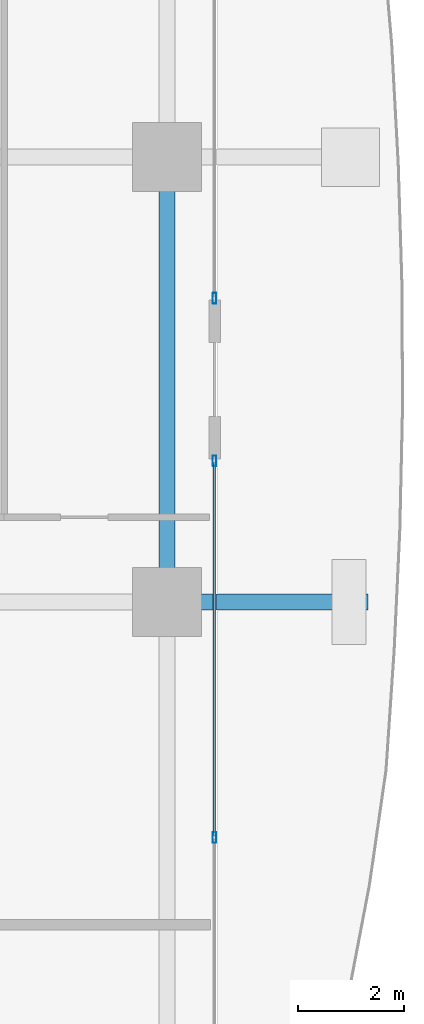
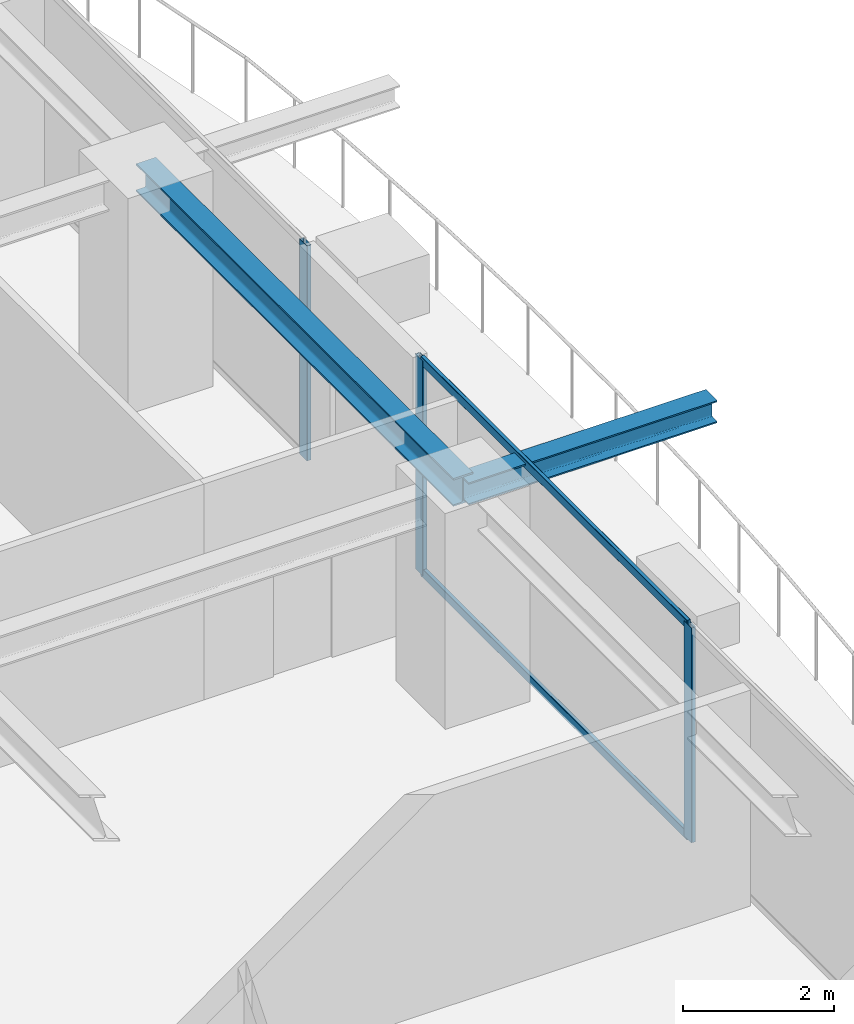
# One storey, part 15 of 37: 5 members, 2 beams, 2 elements without a shape of their own.
"""IFC4 building model written with IfcOpenShell, lengths in metres."""

from ifc_helpers import new_model, si_unit, direction, frame, origin, origin_2d, place, context, subcontext, project, spatial, hollow_rectangle, i_section, extrude, source, transform, mapped, material, layer, layer_set, material_profile, profile_set, type_object, element, aggregate, save


model = new_model("IFC4")

# Units and contexts
model_context = context("Model", 3, precision=1e-05, world=origin(), true_north=direction((0.0, 1.0)))
body_context = subcontext(model_context, "Body", "Model", "MODEL_VIEW")
ifc_project = project(units=[si_unit("LENGTHUNIT", "METRE"), si_unit("AREAUNIT", "SQUARE_METRE"), si_unit("VOLUMEUNIT", "CUBIC_METRE"), si_unit("PLANEANGLEUNIT", "RADIAN"), si_unit("MASSUNIT", "GRAM", prefix="KILO")], contexts=[model_context])

# Site, building, storey
site_placement = place(None, origin())
site = spatial("IfcSite", under=ifc_project, at=site_placement, CompositionType="ELEMENT")
building_placement = place(site_placement, origin())
building = spatial("IfcBuilding", under=site, at=building_placement, Name="Serunith Strait Residences", CompositionType="ELEMENT")
storey_placement = place(building_placement, frame((0.0, 0.0, 161.39990234375)))
storey = spatial("IfcBuildingStorey", under=building, at=storey_placement, Name="L40", CompositionType="ELEMENT", Elevation=161.39990234375)

# Beams
ifc_material_1 = material(Name="Steel S355J2", Category="steel")
ifc_material_profile_1 = material_profile(ifc_material_1, i_section(OverallWidth=0.300048828125, OverallDepth=0.449951171875, WebThickness=0.013916015625, FlangeThickness=0.02587890625, FilletRadius=0.027099609375, at=origin_2d()), Name="HEB 450")
ifc_profile_set_1 = profile_set([ifc_material_profile_1], Name="Steel S355J2")
beam_type_1 = type_object("IfcBeamType", Name="BM-HEB450", PredefinedType="BEAM", material=ifc_profile_set_1)
shared_shape_1 = source(origin(), body_context, "Body", "SweptSolid", [
    extrude(i_section(OverallWidth=0.300048828125, OverallDepth=0.449951171875, WebThickness=0.013916015625, FlangeThickness=0.02587890625, FilletRadius=0.027099609375, at=origin_2d()), origin(), (0.0, 0.0, 1.0), 8.39990234375),
])
beam_1_placement = place(storey_placement, frame((56.10009765625, 21.0, 3.26220703125), z_axis=(0.0, 1.0, 0.0), x_axis=(-1.0, 0.0, 0.0)))
element("IfcBeam", 1, at=beam_1_placement, inside=storey, type_object=beam_type_1, Name="L40 Perimeter Ring Beam 06", PredefinedType="BEAM", context=body_context, shape_type="MappedRepresentation", body=[
    mapped(shared_shape_1, transform((0.0, 0.0, 0.0), scale=1.0)),
])
ifc_material_profile_2 = material_profile(ifc_material_1, i_section(OverallWidth=0.300048828125, OverallDepth=0.360107421875, WebThickness=0.012451171875, FlangeThickness=0.0224609375, FilletRadius=0.027099609375, at=origin_2d()), Name="HEB 360")
ifc_profile_set_2 = profile_set([ifc_material_profile_2], Name="Steel S355J2")
beam_type_2 = type_object("IfcBeamType", Name="BM-HEB360", PredefinedType="BEAM", material=ifc_profile_set_2)
shared_shape_2 = source(origin(), body_context, "Body", "SweptSolid", [
    extrude(i_section(OverallWidth=0.300048828125, OverallDepth=0.360107421875, WebThickness=0.012451171875, FlangeThickness=0.0224609375, FilletRadius=0.027099609375, at=origin_2d()), origin(), (0.0, 0.0, 1.0), 3.7998046875),
])
beam_2_placement = place(storey_placement, frame((56.10009765625, 21.0, 3.277099609375), z_axis=(1.0, 0.0, 0.0), x_axis=(0.0, 1.0, 0.0)))
element("IfcBeam", 2, at=beam_2_placement, inside=storey, type_object=beam_type_2, Name="L41 Cantilevered Balcony Rib TC-E2", PredefinedType="BEAM", context=body_context, shape_type="MappedRepresentation", body=[
    mapped(shared_shape_2, transform((0.0, 0.0, 0.0), scale=1.0)),
])

# Curtain wall, members
ifc_material_2 = material(Name="Pale-Champagne Anodised Aluminium", Category="aluminium")
ifc_layer = layer(ifc_material_2, 0.199951171875, Name="Pale-Champagne Anodised Aluminium")
ifc_layer_set = layer_set([ifc_layer], Name="Pale-Champagne Anodised Aluminium")
curtain_wall_type = type_object("IfcCurtainWallType", Name="CW-SYS2", PredefinedType="NOTDEFINED", material=ifc_layer_set)
curtain_wall_1_placement = place(storey_placement, origin())
curtain_wall_1 = element("IfcCurtainWall", 3, at=curtain_wall_1_placement, inside=storey, type_object=curtain_wall_type, Name="L40 E Unitised Fritted Curtain Wall", PredefinedType="NOTDEFINED")
ifc_material_profile_3 = material_profile(ifc_material_2, hollow_rectangle(XDim=0.070068359375, YDim=0.199951171875, WallThickness=0.00390625, InnerFilletRadius=0.006103515625, OuterFilletRadius=0.010009765625, at=origin_2d()), Name="ALU 200x70x4")
ifc_profile_set_3 = profile_set([ifc_material_profile_3], Name="Pale-Champagne Anodised Aluminium")
member_type_1 = type_object("IfcMemberType", Name="CW-SYS2-MULL", PredefinedType="MULLION", material=ifc_profile_set_3)
shared_shape_3 = source(origin(), body_context, "Body", "SweptSolid", [
    extrude(hollow_rectangle(XDim=0.070068359375, YDim=0.199951171875, WallThickness=0.00390625, InnerFilletRadius=0.006103515625, OuterFilletRadius=0.010009765625, at=origin_2d()), origin(), (0.0, 0.0, 1.0), 3.47509765625),
])
member_1_placement = place(storey_placement, frame((57.0, 16.550048828125, 0.0), z_axis=(0.0, 0.0, 1.0), x_axis=(-1.0, 0.0, 0.0)))
member_1 = element("IfcMember", 4, at=member_1_placement, type_object=member_type_1, Name="CW-2 mullion 2", PredefinedType="MULLION", context=body_context, shape_type="MappedRepresentation", body=[
    mapped(shared_shape_3, transform((0.0, 0.0, 0.0), scale=1.0)),
])
member_2_placement = place(storey_placement, frame((57.0, 23.6650390625, 0.0), z_axis=(0.0, 0.0, 1.0), x_axis=(-1.0, 0.0, 0.0)))
member_2 = element("IfcMember", 5, at=member_2_placement, type_object=member_type_1, Name="CW-2 mullion 3", PredefinedType="MULLION", context=body_context, shape_type="MappedRepresentation", body=[
    mapped(shared_shape_3, transform((0.0, 0.0, 0.0), scale=1.0)),
])

# Curtain wall, member
curtain_wall_2_placement = place(storey_placement, origin())
curtain_wall_2 = element("IfcCurtainWall", 6, at=curtain_wall_2_placement, inside=storey, type_object=curtain_wall_type, Name="L40 E Unitised Fritted Curtain Wall", PredefinedType="NOTDEFINED")
member_3_placement = place(storey_placement, frame((57.0, 26.735107421875, 0.0), z_axis=(0.0, 0.0, 1.0), x_axis=(-1.0, 0.0, 0.0)))
member_3 = element("IfcMember", 7, at=member_3_placement, type_object=member_type_1, Name="CW-2 mullion 1", PredefinedType="MULLION", context=body_context, shape_type="MappedRepresentation", body=[
    mapped(shared_shape_3, transform((0.0, 0.0, 0.0), scale=1.0)),
])
aggregate(curtain_wall_2, [member_3])

# Member
ifc_material_profile_4 = material_profile(ifc_material_2, hollow_rectangle(XDim=0.06005859375, YDim=0.139892578125, WallThickness=0.00341796875, InnerFilletRadius=0.00537109375, OuterFilletRadius=0.0087890625, at=origin_2d()), Name="ALU 140x60x3.5")
ifc_profile_set_4 = profile_set([ifc_material_profile_4], Name="Pale-Champagne Anodised Aluminium")
member_type_2 = type_object("IfcMemberType", Name="CW-SYS2-TRAN", PredefinedType="USERDEFINED", material=ifc_profile_set_4)
shared_shape_4 = source(origin(), body_context, "Body", "SweptSolid", [
    extrude(hollow_rectangle(XDim=0.06005859375, YDim=0.139892578125, WallThickness=0.00341796875, InnerFilletRadius=0.00537109375, OuterFilletRadius=0.0087890625, at=origin_2d()), origin(), (0.0, 0.0, 1.0), 7.044921875),
])
member_4_placement = place(storey_placement, frame((57.0, 16.5849609375, 0.030029296875), z_axis=(0.0, 1.0, 0.0), x_axis=(-1.0, 0.0, 0.0)))
member_4 = element("IfcMember", 8, at=member_4_placement, type_object=member_type_2, Name="CW-2 transom 2.1", ObjectType="TRANSOM", PredefinedType="USERDEFINED", context=body_context, shape_type="MappedRepresentation", body=[
    mapped(shared_shape_4, transform((0.0, 0.0, 0.0), scale=1.0)),
])

member_5_placement = place(storey_placement, frame((57.0, 16.5849609375, 3.445068359375), z_axis=(0.0, 1.0, 0.0), x_axis=(-1.0, 0.0, 0.0)))
member_5 = element("IfcMember", 9, at=member_5_placement, type_object=member_type_2, Name="CW-2 transom 2.2", ObjectType="TRANSOM", PredefinedType="USERDEFINED", context=body_context, shape_type="MappedRepresentation", body=[
    mapped(shared_shape_4, transform((0.0, 0.0, 0.0), scale=1.0)),
])

aggregate(curtain_wall_1, [member_1, member_2, member_4, member_5])

save(model, "model.ifc")
